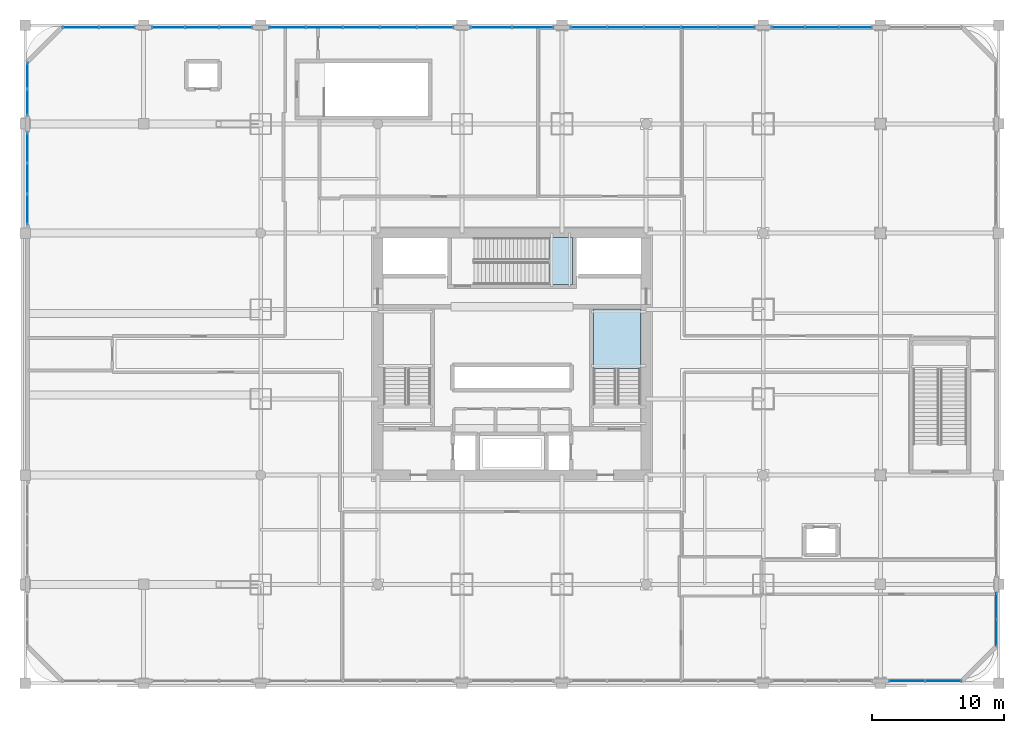
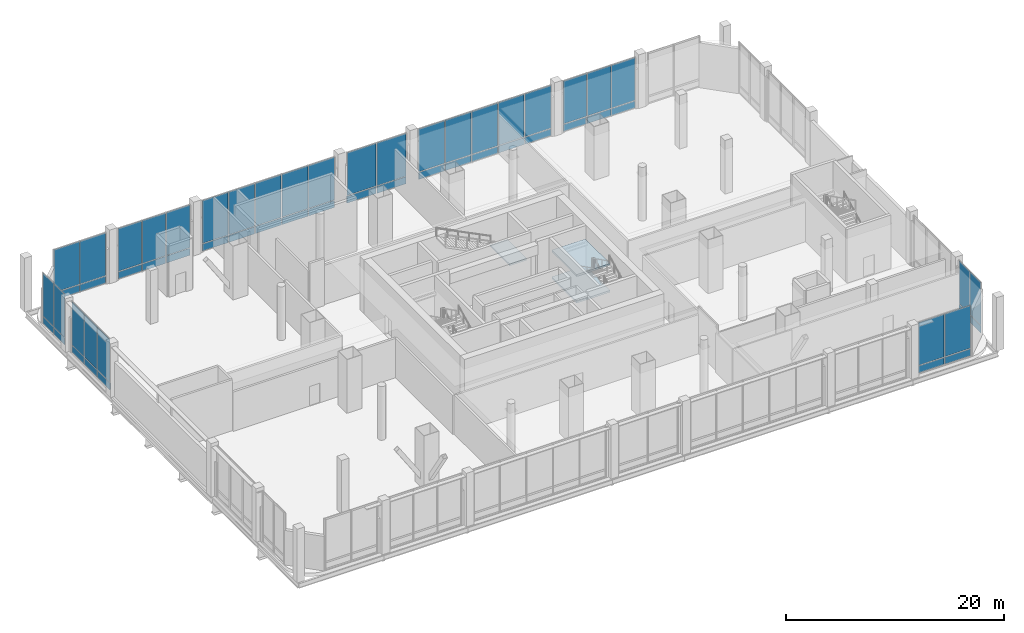
# One storey, part 23 of 38: 58 plates, 3 slabs, 12 elements without a shape of their own.
"""IFC4 building model written with IfcOpenShell, lengths in metres."""

from ifc_helpers import new_model, si_unit, direction, frame, origin, origin_2d, place, context, subcontext, project, spatial, polyline, rectangle, outline, extrude, material, layer, layer_set, type_object, element, aggregate, save


model = new_model("IFC4")

# Units and contexts
model_context = context("Model", 3, precision=1e-05, world=origin(), true_north=direction((0.0, 1.0)))
body_context = subcontext(model_context, "Body", "Model", "MODEL_VIEW")
ifc_project = project(units=[si_unit("LENGTHUNIT", "METRE"), si_unit("AREAUNIT", "SQUARE_METRE"), si_unit("VOLUMEUNIT", "CUBIC_METRE"), si_unit("PLANEANGLEUNIT", "RADIAN"), si_unit("MASSUNIT", "GRAM", prefix="KILO")], contexts=[model_context])

# Site, building, storey
site_placement = place(None, origin())
site = spatial("IfcSite", under=ifc_project, at=site_placement, CompositionType="ELEMENT")
building_placement = place(site_placement, origin())
building = spatial("IfcBuilding", under=site, at=building_placement, Name="Punatoya Terracotta Tower", CompositionType="ELEMENT")
storey_placement = place(building_placement, frame((0.0, 0.0, 22.199951171875)))
storey = spatial("IfcBuildingStorey", under=building, at=storey_placement, Name="L04", CompositionType="ELEMENT", Elevation=22.199951171875)

# Curtain wall, plates
ifc_material_1 = material(Name="Aluminium 6063-T6 + Double Low-E Glass", Category="aluminium")
curtain_wall_type = type_object("IfcCurtainWallType", Name="CW-POD", PredefinedType="NOTDEFINED", material=ifc_material_1)
curtain_wall_1_placement = place(storey_placement, origin())
curtain_wall_1 = element("IfcCurtainWall", 1, at=curtain_wall_1_placement, inside=storey, type_object=curtain_wall_type, Name="L04 Curtain Wall CWP-L04-N1", PredefinedType="NOTDEFINED")
ifc_material_2 = material(Name="Double Low-E Clear Vision Glass", Category="glass")
ifc_layer_1 = layer(ifc_material_2, 0.028076171875)
ifc_layer_set_1 = layer_set([ifc_layer_1], Name="Double Low-E Clear Vision Glass")
plate_type_1 = type_object("IfcPlateType", Name="PLT-GLZ-28", PredefinedType="CURTAIN_PANEL", material=ifc_layer_set_1)
plate_1_placement = place(storey_placement, frame((-30.014892578125, 24.840087890625, 0.89013671875), z_axis=(0.0, 0.0, 1.0), x_axis=(-1.0, 0.0, 0.0)))
plate_1 = element("IfcPlate", 2, at=plate_1_placement, type_object=plate_type_1, Name="CWP-L04-N1 Vision Glass Panel 1", PredefinedType="CURTAIN_PANEL", context=body_context, shape_type="SweptSolid", body=[
    extrude(rectangle(XDim=2.705078125, YDim=0.028076171875, at=origin_2d()), origin(), (0.0, 0.0, 1.0), 4.7900390625),
])
plate_2_placement = place(storey_placement, frame((-32.804931640625, 24.840087890625, 0.89013671875), z_axis=(0.0, 0.0, 1.0), x_axis=(-1.0, 0.0, 0.0)))
plate_2 = element("IfcPlate", 3, at=plate_2_placement, type_object=plate_type_1, Name="CWP-L04-N1 Vision Glass Panel 2", PredefinedType="CURTAIN_PANEL", context=body_context, shape_type="SweptSolid", body=[
    extrude(rectangle(XDim=2.705078125, YDim=0.028076171875, at=origin_2d()), origin(), (0.0, 0.0, 1.0), 4.7900390625),
])

curtain_wall_2_placement = place(storey_placement, origin())
curtain_wall_2 = element("IfcCurtainWall", 4, at=curtain_wall_2_placement, inside=storey, type_object=curtain_wall_type, Name="L04 Curtain Wall CWP-L04-N2", PredefinedType="NOTDEFINED")
plate_3_placement = place(storey_placement, frame((-20.99658203125, 24.840087890625, 0.89013671875), z_axis=(0.0, 0.0, 1.0), x_axis=(-1.0, 0.0, 0.0)))
plate_3 = element("IfcPlate", 5, at=plate_3_placement, type_object=plate_type_1, Name="CWP-L04-N2 Vision Glass Panel 1", PredefinedType="CURTAIN_PANEL", context=body_context, shape_type="SweptSolid", body=[
    extrude(rectangle(XDim=2.46826171875, YDim=0.028076171875, at=origin_2d()), origin(), (0.0, 0.0, 1.0), 4.7900390625),
])
plate_4_placement = place(storey_placement, frame((-23.550048828125, 24.840087890625, 0.89013671875), z_axis=(0.0, 0.0, 1.0), x_axis=(-1.0, 0.0, 0.0)))
plate_4 = element("IfcPlate", 6, at=plate_4_placement, type_object=plate_type_1, Name="CWP-L04-N2 Vision Glass Panel 2", PredefinedType="CURTAIN_PANEL", context=body_context, shape_type="SweptSolid", body=[
    extrude(rectangle(XDim=2.46826171875, YDim=0.028076171875, at=origin_2d()), origin(), (0.0, 0.0, 1.0), 4.7900390625),
])
plate_5_placement = place(storey_placement, frame((-26.103271484375, 24.840087890625, 0.89013671875), z_axis=(0.0, 0.0, 1.0), x_axis=(-1.0, 0.0, 0.0)))
plate_5 = element("IfcPlate", 7, at=plate_5_placement, type_object=plate_type_1, Name="CWP-L04-N2 Vision Glass Panel 3", PredefinedType="CURTAIN_PANEL", context=body_context, shape_type="SweptSolid", body=[
    extrude(rectangle(XDim=2.46826171875, YDim=0.028076171875, at=origin_2d()), origin(), (0.0, 0.0, 1.0), 4.7900390625),
])

curtain_wall_3_placement = place(storey_placement, origin())
curtain_wall_3 = element("IfcCurtainWall", 8, at=curtain_wall_3_placement, inside=storey, type_object=curtain_wall_type, Name="L04 Curtain Wall CWP-L04-N3", PredefinedType="NOTDEFINED")
plate_6_placement = place(storey_placement, frame((-5.825927734375, 24.840087890625, 0.89013671875), z_axis=(0.0, 0.0, 1.0), x_axis=(-1.0, 0.0, 0.0)))
plate_6 = element("IfcPlate", 9, at=plate_6_placement, type_object=plate_type_1, Name="CWP-L04-N3 Vision Glass Panel 1", PredefinedType="CURTAIN_PANEL", context=body_context, shape_type="SweptSolid", body=[
    extrude(rectangle(XDim=2.72705078125, YDim=0.028076171875, at=origin_2d()), origin(), (0.0, 0.0, 1.0), 4.7900390625),
])
plate_7_placement = place(storey_placement, frame((-8.637939453125, 24.840087890625, 0.89013671875), z_axis=(0.0, 0.0, 1.0), x_axis=(-1.0, 0.0, 0.0)))
plate_7 = element("IfcPlate", 10, at=plate_7_placement, type_object=plate_type_1, Name="CWP-L04-N3 Vision Glass Panel 2", PredefinedType="CURTAIN_PANEL", context=body_context, shape_type="SweptSolid", body=[
    extrude(rectangle(XDim=2.72705078125, YDim=0.028076171875, at=origin_2d()), origin(), (0.0, 0.0, 1.0), 4.7900390625),
])
plate_8_placement = place(storey_placement, frame((-11.449951171875, 24.840087890625, 0.89013671875), z_axis=(0.0, 0.0, 1.0), x_axis=(-1.0, 0.0, 0.0)))
plate_8 = element("IfcPlate", 11, at=plate_8_placement, type_object=plate_type_1, Name="CWP-L04-N3 Vision Glass Panel 3", PredefinedType="CURTAIN_PANEL", context=body_context, shape_type="SweptSolid", body=[
    extrude(rectangle(XDim=2.72705078125, YDim=0.028076171875, at=origin_2d()), origin(), (0.0, 0.0, 1.0), 4.7900390625),
])
plate_9_placement = place(storey_placement, frame((-14.261962890625, 24.840087890625, 0.89013671875), z_axis=(0.0, 0.0, 1.0), x_axis=(-1.0, 0.0, 0.0)))
plate_9 = element("IfcPlate", 12, at=plate_9_placement, type_object=plate_type_1, Name="CWP-L04-N3 Vision Glass Panel 4", PredefinedType="CURTAIN_PANEL", context=body_context, shape_type="SweptSolid", body=[
    extrude(rectangle(XDim=2.72705078125, YDim=0.028076171875, at=origin_2d()), origin(), (0.0, 0.0, 1.0), 4.7900390625),
])
plate_10_placement = place(storey_placement, frame((-17.073974609375, 24.840087890625, 0.89013671875), z_axis=(0.0, 0.0, 1.0), x_axis=(-1.0, 0.0, 0.0)))
plate_10 = element("IfcPlate", 13, at=plate_10_placement, type_object=plate_type_1, Name="CWP-L04-N3 Vision Glass Panel 5", PredefinedType="CURTAIN_PANEL", context=body_context, shape_type="SweptSolid", body=[
    extrude(rectangle(XDim=2.72705078125, YDim=0.028076171875, at=origin_2d()), origin(), (0.0, 0.0, 1.0), 4.7900390625),
])

curtain_wall_4_placement = place(storey_placement, origin())
curtain_wall_4 = element("IfcCurtainWall", 14, at=curtain_wall_4_placement, inside=storey, type_object=curtain_wall_type, Name="L04 Curtain Wall CWP-L04-N4", PredefinedType="NOTDEFINED")
plate_11_placement = place(storey_placement, frame((1.590087890625, 24.840087890625, 0.89013671875), z_axis=(0.0, 0.0, 1.0), x_axis=(-1.0, 0.0, 0.0)))
plate_11 = element("IfcPlate", 15, at=plate_11_placement, type_object=plate_type_1, Name="CWP-L04-N4 Vision Glass Panel 1", PredefinedType="CURTAIN_PANEL", context=body_context, shape_type="SweptSolid", body=[
    extrude(rectangle(XDim=3.094970703125, YDim=0.028076171875, at=origin_2d()), origin(), (0.0, 0.0, 1.0), 4.7900390625),
])
plate_12_placement = place(storey_placement, frame((-1.590087890625, 24.840087890625, 0.89013671875), z_axis=(0.0, 0.0, 1.0), x_axis=(-1.0, 0.0, 0.0)))
plate_12 = element("IfcPlate", 16, at=plate_12_placement, type_object=plate_type_1, Name="CWP-L04-N4 Vision Glass Panel 2", PredefinedType="CURTAIN_PANEL", context=body_context, shape_type="SweptSolid", body=[
    extrude(rectangle(XDim=3.094970703125, YDim=0.028076171875, at=origin_2d()), origin(), (0.0, 0.0, 1.0), 4.7900390625),
])

curtain_wall_5_placement = place(storey_placement, origin())
curtain_wall_5 = element("IfcCurtainWall", 17, at=curtain_wall_5_placement, inside=storey, type_object=curtain_wall_type, Name="L04 Curtain Wall CWP-L04-N5", PredefinedType="NOTDEFINED")
plate_13_placement = place(storey_placement, frame((17.073974609375, 24.840087890625, 0.89013671875), z_axis=(0.0, 0.0, 1.0), x_axis=(-1.0, 0.0, 0.0)))
plate_13 = element("IfcPlate", 18, at=plate_13_placement, type_object=plate_type_1, Name="CWP-L04-N5 Vision Glass Panel 1", PredefinedType="CURTAIN_PANEL", context=body_context, shape_type="SweptSolid", body=[
    extrude(rectangle(XDim=2.72705078125, YDim=0.028076171875, at=origin_2d()), origin(), (0.0, 0.0, 1.0), 4.7900390625),
])
plate_14_placement = place(storey_placement, frame((14.261962890625, 24.840087890625, 0.89013671875), z_axis=(0.0, 0.0, 1.0), x_axis=(-1.0, 0.0, 0.0)))
plate_14 = element("IfcPlate", 19, at=plate_14_placement, type_object=plate_type_1, Name="CWP-L04-N5 Vision Glass Panel 2", PredefinedType="CURTAIN_PANEL", context=body_context, shape_type="SweptSolid", body=[
    extrude(rectangle(XDim=2.72705078125, YDim=0.028076171875, at=origin_2d()), origin(), (0.0, 0.0, 1.0), 4.7900390625),
])
plate_15_placement = place(storey_placement, frame((11.449951171875, 24.840087890625, 0.89013671875), z_axis=(0.0, 0.0, 1.0), x_axis=(-1.0, 0.0, 0.0)))
plate_15 = element("IfcPlate", 20, at=plate_15_placement, type_object=plate_type_1, Name="CWP-L04-N5 Vision Glass Panel 3", PredefinedType="CURTAIN_PANEL", context=body_context, shape_type="SweptSolid", body=[
    extrude(rectangle(XDim=2.72705078125, YDim=0.028076171875, at=origin_2d()), origin(), (0.0, 0.0, 1.0), 4.7900390625),
])
plate_16_placement = place(storey_placement, frame((8.637939453125, 24.840087890625, 0.89013671875), z_axis=(0.0, 0.0, 1.0), x_axis=(-1.0, 0.0, 0.0)))
plate_16 = element("IfcPlate", 21, at=plate_16_placement, type_object=plate_type_1, Name="CWP-L04-N5 Vision Glass Panel 4", PredefinedType="CURTAIN_PANEL", context=body_context, shape_type="SweptSolid", body=[
    extrude(rectangle(XDim=2.72705078125, YDim=0.028076171875, at=origin_2d()), origin(), (0.0, 0.0, 1.0), 4.7900390625),
])
plate_17_placement = place(storey_placement, frame((5.825927734375, 24.840087890625, 0.89013671875), z_axis=(0.0, 0.0, 1.0), x_axis=(-1.0, 0.0, 0.0)))
plate_17 = element("IfcPlate", 22, at=plate_17_placement, type_object=plate_type_1, Name="CWP-L04-N5 Vision Glass Panel 5", PredefinedType="CURTAIN_PANEL", context=body_context, shape_type="SweptSolid", body=[
    extrude(rectangle(XDim=2.72705078125, YDim=0.028076171875, at=origin_2d()), origin(), (0.0, 0.0, 1.0), 4.7900390625),
])

curtain_wall_6_placement = place(storey_placement, origin())
curtain_wall_6 = element("IfcCurtainWall", 23, at=curtain_wall_6_placement, inside=storey, type_object=curtain_wall_type, Name="L04 Curtain Wall CWP-L04-N6", PredefinedType="NOTDEFINED")
plate_18_placement = place(storey_placement, frame((26.103271484375, 24.840087890625, 0.89013671875), z_axis=(0.0, 0.0, 1.0), x_axis=(-1.0, 0.0, 0.0)))
plate_18 = element("IfcPlate", 24, at=plate_18_placement, type_object=plate_type_1, Name="CWP-L04-N6 Vision Glass Panel 1", PredefinedType="CURTAIN_PANEL", context=body_context, shape_type="SweptSolid", body=[
    extrude(rectangle(XDim=2.46826171875, YDim=0.028076171875, at=origin_2d()), origin(), (0.0, 0.0, 1.0), 4.7900390625),
])
plate_19_placement = place(storey_placement, frame((23.550048828125, 24.840087890625, 0.89013671875), z_axis=(0.0, 0.0, 1.0), x_axis=(-1.0, 0.0, 0.0)))
plate_19 = element("IfcPlate", 25, at=plate_19_placement, type_object=plate_type_1, Name="CWP-L04-N6 Vision Glass Panel 2", PredefinedType="CURTAIN_PANEL", context=body_context, shape_type="SweptSolid", body=[
    extrude(rectangle(XDim=2.46826171875, YDim=0.028076171875, at=origin_2d()), origin(), (0.0, 0.0, 1.0), 4.7900390625),
])
plate_20_placement = place(storey_placement, frame((20.99658203125, 24.840087890625, 0.89013671875), z_axis=(0.0, 0.0, 1.0), x_axis=(-1.0, 0.0, 0.0)))
plate_20 = element("IfcPlate", 26, at=plate_20_placement, type_object=plate_type_1, Name="CWP-L04-N6 Vision Glass Panel 3", PredefinedType="CURTAIN_PANEL", context=body_context, shape_type="SweptSolid", body=[
    extrude(rectangle(XDim=2.46826171875, YDim=0.028076171875, at=origin_2d()), origin(), (0.0, 0.0, 1.0), 4.7900390625),
])

curtain_wall_7_placement = place(storey_placement, origin())
curtain_wall_7 = element("IfcCurtainWall", 27, at=curtain_wall_7_placement, inside=storey, type_object=curtain_wall_type, Name="L04 Curtain Wall CWP-L04-S7", PredefinedType="NOTDEFINED")
plate_21_placement = place(storey_placement, frame((30.014892578125, -24.840087890625, 0.89013671875), z_axis=(0.0, 0.0, 1.0), x_axis=(1.0, 0.0, 0.0)))
plate_21 = element("IfcPlate", 28, at=plate_21_placement, type_object=plate_type_1, Name="CWP-L04-S7 Vision Glass Panel 1", PredefinedType="CURTAIN_PANEL", context=body_context, shape_type="SweptSolid", body=[
    extrude(rectangle(XDim=2.705078125, YDim=0.028076171875, at=origin_2d()), origin(), (0.0, 0.0, 1.0), 4.7900390625),
])
plate_22_placement = place(storey_placement, frame((32.804931640625, -24.840087890625, 0.89013671875), z_axis=(0.0, 0.0, 1.0), x_axis=(1.0, 0.0, 0.0)))
plate_22 = element("IfcPlate", 29, at=plate_22_placement, type_object=plate_type_1, Name="CWP-L04-S7 Vision Glass Panel 2", PredefinedType="CURTAIN_PANEL", context=body_context, shape_type="SweptSolid", body=[
    extrude(rectangle(XDim=2.705078125, YDim=0.028076171875, at=origin_2d()), origin(), (0.0, 0.0, 1.0), 4.7900390625),
])

curtain_wall_8_placement = place(storey_placement, origin())
curtain_wall_8 = element("IfcCurtainWall", 30, at=curtain_wall_8_placement, inside=storey, type_object=curtain_wall_type, Name="L04 Curtain Wall CWP-L04-W3", PredefinedType="NOTDEFINED")
plate_23_placement = place(storey_placement, frame((-36.840087890625, 10.99658203125, 0.89013671875), z_axis=(0.0, 0.0, 1.0), x_axis=(0.0, 1.0, 0.0)))
plate_23 = element("IfcPlate", 31, at=plate_23_placement, type_object=plate_type_1, Name="CWP-L04-W3 Vision Glass Panel 1", PredefinedType="CURTAIN_PANEL", context=body_context, shape_type="SweptSolid", body=[
    extrude(rectangle(XDim=2.268310546875, YDim=0.028076171875, at=origin_2d()), origin(), (0.0, 0.0, 1.0), 4.7900390625),
])
plate_24_placement = place(storey_placement, frame((-36.840087890625, 13.35009765625, 0.89013671875), z_axis=(0.0, 0.0, 1.0), x_axis=(0.0, 1.0, 0.0)))
plate_24 = element("IfcPlate", 32, at=plate_24_placement, type_object=plate_type_1, Name="CWP-L04-W3 Vision Glass Panel 2", PredefinedType="CURTAIN_PANEL", context=body_context, shape_type="SweptSolid", body=[
    extrude(rectangle(XDim=2.268310546875, YDim=0.028076171875, at=origin_2d()), origin(), (0.0, 0.0, 1.0), 4.7900390625),
])
plate_25_placement = place(storey_placement, frame((-36.840087890625, 15.703369140625, 0.89013671875), z_axis=(0.0, 0.0, 1.0), x_axis=(0.0, 1.0, 0.0)))
plate_25 = element("IfcPlate", 33, at=plate_25_placement, type_object=plate_type_1, Name="CWP-L04-W3 Vision Glass Panel 3", PredefinedType="CURTAIN_PANEL", context=body_context, shape_type="SweptSolid", body=[
    extrude(rectangle(XDim=2.268310546875, YDim=0.028076171875, at=origin_2d()), origin(), (0.0, 0.0, 1.0), 4.7900390625),
])

curtain_wall_9_placement = place(storey_placement, origin())
curtain_wall_9 = element("IfcCurtainWall", 34, at=curtain_wall_9_placement, inside=storey, type_object=curtain_wall_type, Name="L04 Curtain Wall CWP-L04-W4", PredefinedType="NOTDEFINED")
plate_26_placement = place(storey_placement, frame((-36.840087890625, 19.139892578125, 0.89013671875), z_axis=(0.0, 0.0, 1.0), x_axis=(0.0, 1.0, 0.0)))
plate_26 = element("IfcPlate", 35, at=plate_26_placement, type_object=plate_type_1, Name="CWP-L04-W4 Vision Glass Panel 1", PredefinedType="CURTAIN_PANEL", context=body_context, shape_type="SweptSolid", body=[
    extrude(rectangle(XDim=1.955078125, YDim=0.028076171875, at=origin_2d()), origin(), (0.0, 0.0, 1.0), 4.7900390625),
])
plate_27_placement = place(storey_placement, frame((-36.840087890625, 21.179931640625, 0.89013671875), z_axis=(0.0, 0.0, 1.0), x_axis=(0.0, 1.0, 0.0)))
plate_27 = element("IfcPlate", 36, at=plate_27_placement, type_object=plate_type_1, Name="CWP-L04-W4 Vision Glass Panel 2", PredefinedType="CURTAIN_PANEL", context=body_context, shape_type="SweptSolid", body=[
    extrude(rectangle(XDim=1.955078125, YDim=0.028076171875, at=origin_2d()), origin(), (0.0, 0.0, 1.0), 4.7900390625),
])

curtain_wall_10_placement = place(storey_placement, origin())
curtain_wall_10 = element("IfcCurtainWall", 37, at=curtain_wall_10_placement, inside=storey, type_object=curtain_wall_type, Name="L04 Curtain Wall CWP-L04-E1", PredefinedType="NOTDEFINED")
plate_28_placement = place(storey_placement, frame((36.840087890625, -19.139892578125, 0.89013671875), z_axis=(0.0, 0.0, 1.0), x_axis=(0.0, -1.0, 0.0)))
plate_28 = element("IfcPlate", 38, at=plate_28_placement, type_object=plate_type_1, Name="CWP-L04-E1 Vision Glass Panel 1", PredefinedType="CURTAIN_PANEL", context=body_context, shape_type="SweptSolid", body=[
    extrude(rectangle(XDim=1.955078125, YDim=0.028076171875, at=origin_2d()), origin(), (0.0, 0.0, 1.0), 4.7900390625),
])
plate_29_placement = place(storey_placement, frame((36.840087890625, -21.179931640625, 0.89013671875), z_axis=(0.0, 0.0, 1.0), x_axis=(0.0, -1.0, 0.0)))
plate_29 = element("IfcPlate", 39, at=plate_29_placement, type_object=plate_type_1, Name="CWP-L04-E1 Vision Glass Panel 2", PredefinedType="CURTAIN_PANEL", context=body_context, shape_type="SweptSolid", body=[
    extrude(rectangle(XDim=1.955078125, YDim=0.028076171875, at=origin_2d()), origin(), (0.0, 0.0, 1.0), 4.7900390625),
])

# Plate
ifc_material_3 = material(Name="Insulated Terracotta-Backed Spandrel Panel", Category="masonry")
ifc_layer_2 = layer(ifc_material_3, 0.044921875)
ifc_layer_set_2 = layer_set([ifc_layer_2], Name="Insulated Terracotta-Backed Spandrel Panel")
plate_type_2 = type_object("IfcPlateType", Name="PLT-SPN-45", PredefinedType="CURTAIN_PANEL", material=ifc_layer_set_2)
plate_30_placement = place(storey_placement, frame((-30.014892578125, 24.840087890625, 0.0400390625), z_axis=(0.0, 0.0, 1.0), x_axis=(-1.0, 0.0, 0.0)))
plate_30 = element("IfcPlate", 40, at=plate_30_placement, type_object=plate_type_2, Name="CWP-L04-N1 Terracotta Spandrel Panel 1", PredefinedType="CURTAIN_PANEL", context=body_context, shape_type="SweptSolid", body=[
    extrude(rectangle(XDim=2.705078125, YDim=0.044921875, at=origin_2d()), origin(), (0.0, 0.0, 1.0), 0.77490234375),
])

plate_31_placement = place(storey_placement, frame((-32.804931640625, 24.840087890625, 0.0400390625), z_axis=(0.0, 0.0, 1.0), x_axis=(-1.0, 0.0, 0.0)))
plate_31 = element("IfcPlate", 41, at=plate_31_placement, type_object=plate_type_2, Name="CWP-L04-N1 Terracotta Spandrel Panel 2", PredefinedType="CURTAIN_PANEL", context=body_context, shape_type="SweptSolid", body=[
    extrude(rectangle(XDim=2.705078125, YDim=0.044921875, at=origin_2d()), origin(), (0.0, 0.0, 1.0), 0.77490234375),
])

aggregate(curtain_wall_1, [plate_30, plate_1, plate_31, plate_2])

plate_32_placement = place(storey_placement, frame((-20.99658203125, 24.840087890625, 0.0400390625), z_axis=(0.0, 0.0, 1.0), x_axis=(-1.0, 0.0, 0.0)))
plate_32 = element("IfcPlate", 42, at=plate_32_placement, type_object=plate_type_2, Name="CWP-L04-N2 Terracotta Spandrel Panel 1", PredefinedType="CURTAIN_PANEL", context=body_context, shape_type="SweptSolid", body=[
    extrude(rectangle(XDim=2.46826171875, YDim=0.044921875, at=origin_2d()), origin(), (0.0, 0.0, 1.0), 0.77490234375),
])

plate_33_placement = place(storey_placement, frame((-23.550048828125, 24.840087890625, 0.0400390625), z_axis=(0.0, 0.0, 1.0), x_axis=(-1.0, 0.0, 0.0)))
plate_33 = element("IfcPlate", 43, at=plate_33_placement, type_object=plate_type_2, Name="CWP-L04-N2 Terracotta Spandrel Panel 2", PredefinedType="CURTAIN_PANEL", context=body_context, shape_type="SweptSolid", body=[
    extrude(rectangle(XDim=2.46826171875, YDim=0.044921875, at=origin_2d()), origin(), (0.0, 0.0, 1.0), 0.77490234375),
])

plate_34_placement = place(storey_placement, frame((-26.103271484375, 24.840087890625, 0.0400390625), z_axis=(0.0, 0.0, 1.0), x_axis=(-1.0, 0.0, 0.0)))
plate_34 = element("IfcPlate", 44, at=plate_34_placement, type_object=plate_type_2, Name="CWP-L04-N2 Terracotta Spandrel Panel 3", PredefinedType="CURTAIN_PANEL", context=body_context, shape_type="SweptSolid", body=[
    extrude(rectangle(XDim=2.46826171875, YDim=0.044921875, at=origin_2d()), origin(), (0.0, 0.0, 1.0), 0.77490234375),
])

aggregate(curtain_wall_2, [plate_32, plate_3, plate_33, plate_4, plate_34, plate_5])

plate_35_placement = place(storey_placement, frame((-5.825927734375, 24.840087890625, 0.0400390625), z_axis=(0.0, 0.0, 1.0), x_axis=(-1.0, 0.0, 0.0)))
plate_35 = element("IfcPlate", 45, at=plate_35_placement, type_object=plate_type_2, Name="CWP-L04-N3 Terracotta Spandrel Panel 1", PredefinedType="CURTAIN_PANEL", context=body_context, shape_type="SweptSolid", body=[
    extrude(rectangle(XDim=2.72705078125, YDim=0.044921875, at=origin_2d()), origin(), (0.0, 0.0, 1.0), 0.77490234375),
])

plate_36_placement = place(storey_placement, frame((-8.637939453125, 24.840087890625, 0.0400390625), z_axis=(0.0, 0.0, 1.0), x_axis=(-1.0, 0.0, 0.0)))
plate_36 = element("IfcPlate", 46, at=plate_36_placement, type_object=plate_type_2, Name="CWP-L04-N3 Terracotta Spandrel Panel 2", PredefinedType="CURTAIN_PANEL", context=body_context, shape_type="SweptSolid", body=[
    extrude(rectangle(XDim=2.72705078125, YDim=0.044921875, at=origin_2d()), origin(), (0.0, 0.0, 1.0), 0.77490234375),
])

plate_37_placement = place(storey_placement, frame((-11.449951171875, 24.840087890625, 0.0400390625), z_axis=(0.0, 0.0, 1.0), x_axis=(-1.0, 0.0, 0.0)))
plate_37 = element("IfcPlate", 47, at=plate_37_placement, type_object=plate_type_2, Name="CWP-L04-N3 Terracotta Spandrel Panel 3", PredefinedType="CURTAIN_PANEL", context=body_context, shape_type="SweptSolid", body=[
    extrude(rectangle(XDim=2.72705078125, YDim=0.044921875, at=origin_2d()), origin(), (0.0, 0.0, 1.0), 0.77490234375),
])

plate_38_placement = place(storey_placement, frame((-14.261962890625, 24.840087890625, 0.0400390625), z_axis=(0.0, 0.0, 1.0), x_axis=(-1.0, 0.0, 0.0)))
plate_38 = element("IfcPlate", 48, at=plate_38_placement, type_object=plate_type_2, Name="CWP-L04-N3 Terracotta Spandrel Panel 4", PredefinedType="CURTAIN_PANEL", context=body_context, shape_type="SweptSolid", body=[
    extrude(rectangle(XDim=2.72705078125, YDim=0.044921875, at=origin_2d()), origin(), (0.0, 0.0, 1.0), 0.77490234375),
])

plate_39_placement = place(storey_placement, frame((-17.073974609375, 24.840087890625, 0.0400390625), z_axis=(0.0, 0.0, 1.0), x_axis=(-1.0, 0.0, 0.0)))
plate_39 = element("IfcPlate", 49, at=plate_39_placement, type_object=plate_type_2, Name="CWP-L04-N3 Terracotta Spandrel Panel 5", PredefinedType="CURTAIN_PANEL", context=body_context, shape_type="SweptSolid", body=[
    extrude(rectangle(XDim=2.72705078125, YDim=0.044921875, at=origin_2d()), origin(), (0.0, 0.0, 1.0), 0.77490234375),
])

aggregate(curtain_wall_3, [plate_35, plate_6, plate_36, plate_7, plate_37, plate_8, plate_38, plate_9, plate_39, plate_10])

plate_40_placement = place(storey_placement, frame((1.590087890625, 24.840087890625, 0.0400390625), z_axis=(0.0, 0.0, 1.0), x_axis=(-1.0, 0.0, 0.0)))
plate_40 = element("IfcPlate", 50, at=plate_40_placement, type_object=plate_type_2, Name="CWP-L04-N4 Terracotta Spandrel Panel 1", PredefinedType="CURTAIN_PANEL", context=body_context, shape_type="SweptSolid", body=[
    extrude(rectangle(XDim=3.094970703125, YDim=0.044921875, at=origin_2d()), origin(), (0.0, 0.0, 1.0), 0.77490234375),
])

plate_41_placement = place(storey_placement, frame((-1.590087890625, 24.840087890625, 0.0400390625), z_axis=(0.0, 0.0, 1.0), x_axis=(-1.0, 0.0, 0.0)))
plate_41 = element("IfcPlate", 51, at=plate_41_placement, type_object=plate_type_2, Name="CWP-L04-N4 Terracotta Spandrel Panel 2", PredefinedType="CURTAIN_PANEL", context=body_context, shape_type="SweptSolid", body=[
    extrude(rectangle(XDim=3.094970703125, YDim=0.044921875, at=origin_2d()), origin(), (0.0, 0.0, 1.0), 0.77490234375),
])

aggregate(curtain_wall_4, [plate_40, plate_11, plate_41, plate_12])

plate_42_placement = place(storey_placement, frame((17.073974609375, 24.840087890625, 0.0400390625), z_axis=(0.0, 0.0, 1.0), x_axis=(-1.0, 0.0, 0.0)))
plate_42 = element("IfcPlate", 52, at=plate_42_placement, type_object=plate_type_2, Name="CWP-L04-N5 Terracotta Spandrel Panel 1", PredefinedType="CURTAIN_PANEL", context=body_context, shape_type="SweptSolid", body=[
    extrude(rectangle(XDim=2.72705078125, YDim=0.044921875, at=origin_2d()), origin(), (0.0, 0.0, 1.0), 0.77490234375),
])

plate_43_placement = place(storey_placement, frame((14.261962890625, 24.840087890625, 0.0400390625), z_axis=(0.0, 0.0, 1.0), x_axis=(-1.0, 0.0, 0.0)))
plate_43 = element("IfcPlate", 53, at=plate_43_placement, type_object=plate_type_2, Name="CWP-L04-N5 Terracotta Spandrel Panel 2", PredefinedType="CURTAIN_PANEL", context=body_context, shape_type="SweptSolid", body=[
    extrude(rectangle(XDim=2.72705078125, YDim=0.044921875, at=origin_2d()), origin(), (0.0, 0.0, 1.0), 0.77490234375),
])

plate_44_placement = place(storey_placement, frame((11.449951171875, 24.840087890625, 0.0400390625), z_axis=(0.0, 0.0, 1.0), x_axis=(-1.0, 0.0, 0.0)))
plate_44 = element("IfcPlate", 54, at=plate_44_placement, type_object=plate_type_2, Name="CWP-L04-N5 Terracotta Spandrel Panel 3", PredefinedType="CURTAIN_PANEL", context=body_context, shape_type="SweptSolid", body=[
    extrude(rectangle(XDim=2.72705078125, YDim=0.044921875, at=origin_2d()), origin(), (0.0, 0.0, 1.0), 0.77490234375),
])

plate_45_placement = place(storey_placement, frame((8.637939453125, 24.840087890625, 0.0400390625), z_axis=(0.0, 0.0, 1.0), x_axis=(-1.0, 0.0, 0.0)))
plate_45 = element("IfcPlate", 55, at=plate_45_placement, type_object=plate_type_2, Name="CWP-L04-N5 Terracotta Spandrel Panel 4", PredefinedType="CURTAIN_PANEL", context=body_context, shape_type="SweptSolid", body=[
    extrude(rectangle(XDim=2.72705078125, YDim=0.044921875, at=origin_2d()), origin(), (0.0, 0.0, 1.0), 0.77490234375),
])

plate_46_placement = place(storey_placement, frame((5.825927734375, 24.840087890625, 0.0400390625), z_axis=(0.0, 0.0, 1.0), x_axis=(-1.0, 0.0, 0.0)))
plate_46 = element("IfcPlate", 56, at=plate_46_placement, type_object=plate_type_2, Name="CWP-L04-N5 Terracotta Spandrel Panel 5", PredefinedType="CURTAIN_PANEL", context=body_context, shape_type="SweptSolid", body=[
    extrude(rectangle(XDim=2.72705078125, YDim=0.044921875, at=origin_2d()), origin(), (0.0, 0.0, 1.0), 0.77490234375),
])

aggregate(curtain_wall_5, [plate_42, plate_13, plate_43, plate_14, plate_44, plate_15, plate_45, plate_16, plate_46, plate_17])

plate_47_placement = place(storey_placement, frame((26.103271484375, 24.840087890625, 0.0400390625), z_axis=(0.0, 0.0, 1.0), x_axis=(-1.0, 0.0, 0.0)))
plate_47 = element("IfcPlate", 57, at=plate_47_placement, type_object=plate_type_2, Name="CWP-L04-N6 Terracotta Spandrel Panel 1", PredefinedType="CURTAIN_PANEL", context=body_context, shape_type="SweptSolid", body=[
    extrude(rectangle(XDim=2.46826171875, YDim=0.044921875, at=origin_2d()), origin(), (0.0, 0.0, 1.0), 0.77490234375),
])

plate_48_placement = place(storey_placement, frame((23.550048828125, 24.840087890625, 0.0400390625), z_axis=(0.0, 0.0, 1.0), x_axis=(-1.0, 0.0, 0.0)))
plate_48 = element("IfcPlate", 58, at=plate_48_placement, type_object=plate_type_2, Name="CWP-L04-N6 Terracotta Spandrel Panel 2", PredefinedType="CURTAIN_PANEL", context=body_context, shape_type="SweptSolid", body=[
    extrude(rectangle(XDim=2.46826171875, YDim=0.044921875, at=origin_2d()), origin(), (0.0, 0.0, 1.0), 0.77490234375),
])

plate_49_placement = place(storey_placement, frame((20.99658203125, 24.840087890625, 0.0400390625), z_axis=(0.0, 0.0, 1.0), x_axis=(-1.0, 0.0, 0.0)))
plate_49 = element("IfcPlate", 59, at=plate_49_placement, type_object=plate_type_2, Name="CWP-L04-N6 Terracotta Spandrel Panel 3", PredefinedType="CURTAIN_PANEL", context=body_context, shape_type="SweptSolid", body=[
    extrude(rectangle(XDim=2.46826171875, YDim=0.044921875, at=origin_2d()), origin(), (0.0, 0.0, 1.0), 0.77490234375),
])

aggregate(curtain_wall_6, [plate_47, plate_18, plate_48, plate_19, plate_49, plate_20])

plate_50_placement = place(storey_placement, frame((30.014892578125, -24.840087890625, 0.0400390625), z_axis=(0.0, 0.0, 1.0), x_axis=(1.0, 0.0, 0.0)))
plate_50 = element("IfcPlate", 60, at=plate_50_placement, type_object=plate_type_2, Name="CWP-L04-S7 Terracotta Spandrel Panel 1", PredefinedType="CURTAIN_PANEL", context=body_context, shape_type="SweptSolid", body=[
    extrude(rectangle(XDim=2.705078125, YDim=0.044921875, at=origin_2d()), origin(), (0.0, 0.0, 1.0), 0.77490234375),
])

plate_51_placement = place(storey_placement, frame((32.804931640625, -24.840087890625, 0.0400390625), z_axis=(0.0, 0.0, 1.0), x_axis=(1.0, 0.0, 0.0)))
plate_51 = element("IfcPlate", 61, at=plate_51_placement, type_object=plate_type_2, Name="CWP-L04-S7 Terracotta Spandrel Panel 2", PredefinedType="CURTAIN_PANEL", context=body_context, shape_type="SweptSolid", body=[
    extrude(rectangle(XDim=2.705078125, YDim=0.044921875, at=origin_2d()), origin(), (0.0, 0.0, 1.0), 0.77490234375),
])

aggregate(curtain_wall_7, [plate_50, plate_21, plate_51, plate_22])

plate_52_placement = place(storey_placement, frame((-36.840087890625, 10.99658203125, 0.0400390625), z_axis=(0.0, 0.0, 1.0), x_axis=(0.0, 1.0, 0.0)))
plate_52 = element("IfcPlate", 62, at=plate_52_placement, type_object=plate_type_2, Name="CWP-L04-W3 Terracotta Spandrel Panel 1", PredefinedType="CURTAIN_PANEL", context=body_context, shape_type="SweptSolid", body=[
    extrude(rectangle(XDim=2.268310546875, YDim=0.044921875, at=origin_2d()), origin(), (0.0, 0.0, 1.0), 0.77490234375),
])

plate_53_placement = place(storey_placement, frame((-36.840087890625, 13.35009765625, 0.0400390625), z_axis=(0.0, 0.0, 1.0), x_axis=(0.0, 1.0, 0.0)))
plate_53 = element("IfcPlate", 63, at=plate_53_placement, type_object=plate_type_2, Name="CWP-L04-W3 Terracotta Spandrel Panel 2", PredefinedType="CURTAIN_PANEL", context=body_context, shape_type="SweptSolid", body=[
    extrude(rectangle(XDim=2.268310546875, YDim=0.044921875, at=origin_2d()), origin(), (0.0, 0.0, 1.0), 0.77490234375),
])

plate_54_placement = place(storey_placement, frame((-36.840087890625, 15.703369140625, 0.0400390625), z_axis=(0.0, 0.0, 1.0), x_axis=(0.0, 1.0, 0.0)))
plate_54 = element("IfcPlate", 64, at=plate_54_placement, type_object=plate_type_2, Name="CWP-L04-W3 Terracotta Spandrel Panel 3", PredefinedType="CURTAIN_PANEL", context=body_context, shape_type="SweptSolid", body=[
    extrude(rectangle(XDim=2.268310546875, YDim=0.044921875, at=origin_2d()), origin(), (0.0, 0.0, 1.0), 0.77490234375),
])

aggregate(curtain_wall_8, [plate_52, plate_23, plate_53, plate_24, plate_54, plate_25])

plate_55_placement = place(storey_placement, frame((-36.840087890625, 19.139892578125, 0.0400390625), z_axis=(0.0, 0.0, 1.0), x_axis=(0.0, 1.0, 0.0)))
plate_55 = element("IfcPlate", 65, at=plate_55_placement, type_object=plate_type_2, Name="CWP-L04-W4 Terracotta Spandrel Panel 1", PredefinedType="CURTAIN_PANEL", context=body_context, shape_type="SweptSolid", body=[
    extrude(rectangle(XDim=1.955078125, YDim=0.044921875, at=origin_2d()), origin(), (0.0, 0.0, 1.0), 0.77490234375),
])

plate_56_placement = place(storey_placement, frame((-36.840087890625, 21.179931640625, 0.0400390625), z_axis=(0.0, 0.0, 1.0), x_axis=(0.0, 1.0, 0.0)))
plate_56 = element("IfcPlate", 66, at=plate_56_placement, type_object=plate_type_2, Name="CWP-L04-W4 Terracotta Spandrel Panel 2", PredefinedType="CURTAIN_PANEL", context=body_context, shape_type="SweptSolid", body=[
    extrude(rectangle(XDim=1.955078125, YDim=0.044921875, at=origin_2d()), origin(), (0.0, 0.0, 1.0), 0.77490234375),
])

aggregate(curtain_wall_9, [plate_55, plate_26, plate_56, plate_27])

plate_57_placement = place(storey_placement, frame((36.840087890625, -19.139892578125, 0.0400390625), z_axis=(0.0, 0.0, 1.0), x_axis=(0.0, -1.0, 0.0)))
plate_57 = element("IfcPlate", 67, at=plate_57_placement, type_object=plate_type_2, Name="CWP-L04-E1 Terracotta Spandrel Panel 1", PredefinedType="CURTAIN_PANEL", context=body_context, shape_type="SweptSolid", body=[
    extrude(rectangle(XDim=1.955078125, YDim=0.044921875, at=origin_2d()), origin(), (0.0, 0.0, 1.0), 0.77490234375),
])

plate_58_placement = place(storey_placement, frame((36.840087890625, -21.179931640625, 0.0400390625), z_axis=(0.0, 0.0, 1.0), x_axis=(0.0, -1.0, 0.0)))
plate_58 = element("IfcPlate", 68, at=plate_58_placement, type_object=plate_type_2, Name="CWP-L04-E1 Terracotta Spandrel Panel 2", PredefinedType="CURTAIN_PANEL", context=body_context, shape_type="SweptSolid", body=[
    extrude(rectangle(XDim=1.955078125, YDim=0.044921875, at=origin_2d()), origin(), (0.0, 0.0, 1.0), 0.77490234375),
])

aggregate(curtain_wall_10, [plate_57, plate_28, plate_58, plate_29])

# Stair, slab
ifc_material_4 = material(Name="Concrete C40/50", Category="concrete")
stair_type_1 = type_object("IfcStairType", Name="STR-TER-1450", PredefinedType="HALF_TURN_STAIR", material=ifc_material_4)
stair_1_placement = place(storey_placement, origin())
stair_1 = element("IfcStair", 69, at=stair_1_placement, inside=storey, type_object=stair_type_1, Name="L04 Protected Core Exit Stair ST-3", PredefinedType="HALF_TURN_STAIR")
ifc_layer_3 = layer(ifc_material_4, 0.1650390625)
ifc_layer_set_3 = layer_set([ifc_layer_3], Name="Concrete C40/50")
slab_type_1 = type_object("IfcSlabType", Name="SLB-LND-165", PredefinedType="LANDING", material=ifc_layer_set_3)
slab_1_placement = place(storey_placement, frame((0.0, 0.0, 2.800048828125)))
slab_1 = element("IfcSlab", 70, at=slab_1_placement, type_object=slab_type_1, Name="ST-3 landing 1", PredefinedType="LANDING", context=body_context, shape_type="SweptSolid", body=[
    extrude(outline(polyline([(2.800048828125, 5.300048828125), (4.60009765625, 5.300048828125), (4.60009765625, 8.85009765625), (2.800048828125, 8.85009765625), (2.800048828125, 5.300048828125)])), origin(), (0.0, 0.0, 1.0), 0.199951171875),
])
aggregate(stair_1, [slab_1])

# Stair, slabs
stair_type_2 = type_object("IfcStairType", Name="STR-LOB-1650", PredefinedType="HALF_TURN_STAIR", material=ifc_material_4)
stair_2_placement = place(storey_placement, origin())
stair_2 = element("IfcStair", 71, at=stair_2_placement, inside=storey, type_object=stair_type_2, Name="L04 Protected Core Exit Stair ST-2", PredefinedType="HALF_TURN_STAIR")
ifc_layer_4 = layer(ifc_material_4, 0.179931640625)
ifc_layer_set_4 = layer_set([ifc_layer_4], Name="Concrete C40/50")
slab_type_2 = type_object("IfcSlabType", Name="SLB-LND-180", PredefinedType="LANDING", material=ifc_layer_set_4)
slab_2_placement = place(storey_placement, frame((0.0, 0.0, 1.300048828125)))
slab_2 = element("IfcSlab", 72, at=slab_2_placement, type_object=slab_type_2, Name="ST-2 landing 1", PredefinedType="LANDING", context=body_context, shape_type="SweptSolid", body=[
    extrude(outline(polyline([(9.75, -1.10009765625), (9.75, 3.449951171875), (6.199951171875, 3.449951171875), (6.199951171875, -1.10009765625), (9.75, -1.10009765625)])), origin(), (0.0, 0.0, 1.0), 0.199951171875),
])
slab_3_placement = place(storey_placement, frame((0.0, 0.0, 4.300048828125)))
slab_3 = element("IfcSlab", 73, at=slab_3_placement, type_object=slab_type_2, Name="ST-2 landing 3", PredefinedType="LANDING", context=body_context, shape_type="SweptSolid", body=[
    extrude(outline(polyline([(9.75, -1.10009765625), (9.75, 3.449951171875), (6.199951171875, 3.449951171875), (6.199951171875, -1.10009765625), (9.75, -1.10009765625)])), origin(), (0.0, 0.0, 1.0), 0.199951171875),
])
aggregate(stair_2, [slab_2, slab_3])

save(model, "model.ifc")
